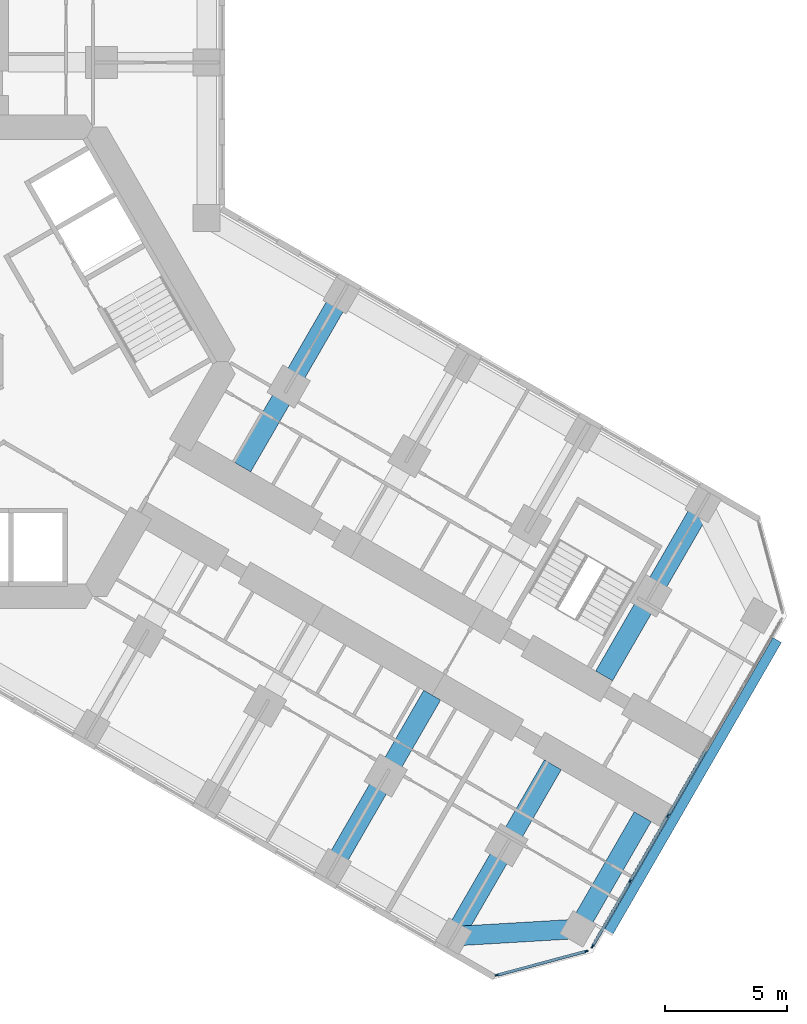
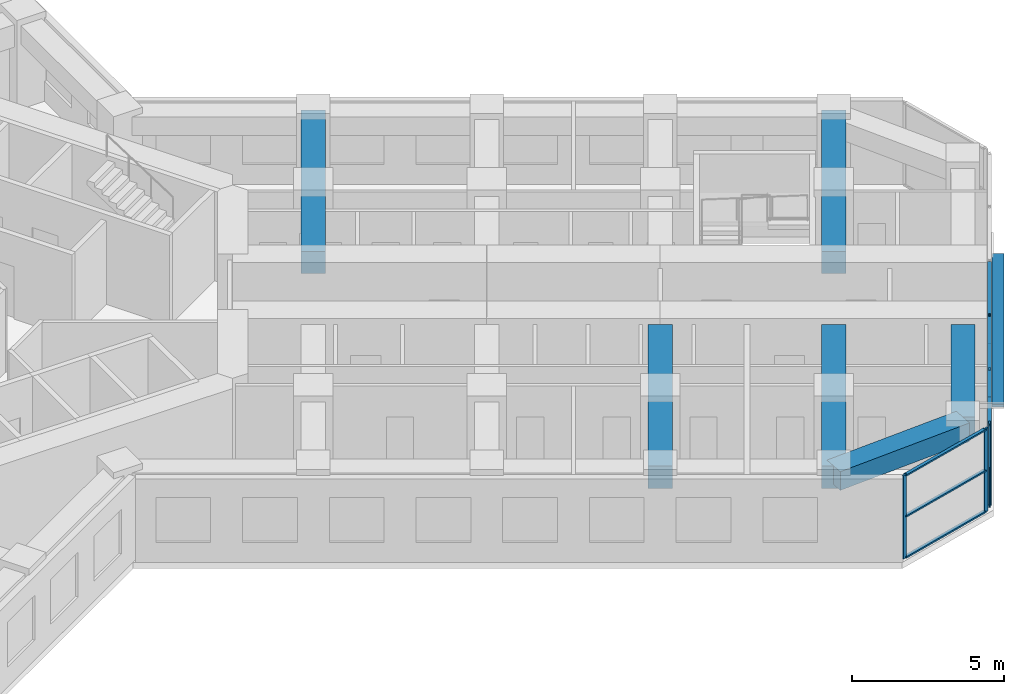
# One storey, part 5 of 21: 15 members, 6 beams, 2 elements without a shape of their own.
"""IFC4 building model written with IfcOpenShell, lengths in metres."""

from ifc_helpers import new_model, si_unit, direction, frame, origin, origin_2d, place, context, subcontext, project, spatial, rectangle, extrude, material, material_profile, profile_set, type_object, element, aggregate, save


model = new_model("IFC4")

# Units and contexts
model_context = context("Model", 3, precision=1e-05, world=origin(), true_north=direction((0.0, 1.0)))
body_context = subcontext(model_context, "Body", "Model", "MODEL_VIEW")
ifc_project = project(units=[si_unit("LENGTHUNIT", "METRE"), si_unit("AREAUNIT", "SQUARE_METRE"), si_unit("VOLUMEUNIT", "CUBIC_METRE"), si_unit("PLANEANGLEUNIT", "RADIAN"), si_unit("MASSUNIT", "GRAM", prefix="KILO")], contexts=[model_context])

# Site, building, storey
site_placement = place(None, origin())
site = spatial("IfcSite", under=ifc_project, at=site_placement, CompositionType="ELEMENT")
building_placement = place(site_placement, origin())
building = spatial("IfcBuilding", under=site, at=building_placement, Name="Kosmar Iwan School Tower", CompositionType="ELEMENT")
storey_placement = place(building_placement, frame((0.0, 0.0, 43.0)))
storey = spatial("IfcBuildingStorey", under=building, at=storey_placement, Name="L09", CompositionType="ELEMENT", Elevation=43.0)

# Member
ifc_material_1 = material(Name="Black anodised aluminium", Category="aluminium")
ifc_material_profile_1 = material_profile(ifc_material_1, rectangle(XDim=0.10009765625, YDim=0.39990234375, at=origin_2d()), Name="FIN 100x400")
ifc_profile_set_1 = profile_set([ifc_material_profile_1], Name="Black anodised aluminium")
member_type_1 = type_object("IfcMemberType", Name="Diagonal fin 100x400", PredefinedType="USERDEFINED", material=ifc_profile_set_1)
member_1_placement = place(storey_placement, frame((33.54345703125, -11.40087890625, -0.14990234375), z_axis=(-0.483795538458, -0.837973939202, 0.252470897702), x_axis=(0.126233699175, 0.218647221293, 0.967604488318)))
element("IfcMember", 1, at=member_1_placement, inside=storey, type_object=member_type_1, Name="Diagonal fin L09-F03", ObjectType="FIN", PredefinedType="USERDEFINED", context=body_context, shape_type="SweptSolid", body=[
    extrude(rectangle(XDim=0.10009765625, YDim=0.39990234375, at=origin_2d()), origin(), (0.0, 0.0, 1.0), 14.258544921875),
])

# Curtain wall, members
ifc_material_2 = material(Name="Dark glass in black aluminium frame", Category="aluminium")
curtain_wall_type_1 = type_object("IfcCurtainWallType", Name="Chamfer curtain wall dark glass", PredefinedType="USERDEFINED", material=ifc_material_2)
curtain_wall_1_placement = place(storey_placement, origin())
curtain_wall_1 = element("IfcCurtainWall", 2, at=curtain_wall_1_placement, inside=storey, type_object=curtain_wall_type_1, Name="Curtain wall L09-F02", ObjectType="FACETED CURTAIN WALL", PredefinedType="USERDEFINED")
ifc_material_3 = material(Name="Black anodised aluminium", Category="aluminium")
ifc_material_profile_2 = material_profile(ifc_material_3, rectangle(XDim=0.06005859375, YDim=0.159912109375, at=origin_2d()), Name="MULLION 60x160")
ifc_profile_set_2 = profile_set([ifc_material_profile_2], Name="Black anodised aluminium")
member_type_2 = type_object("IfcMemberType", Name="Mullion 60x160", PredefinedType="MULLION", material=ifc_profile_set_2)
member_2_placement = place(storey_placement, frame((22.0830078125, -25.102294921875, 0.0), z_axis=(0.0, 0.0, 1.0), x_axis=(-0.258818861462, 0.965925875495, 0.0)))
member_2 = element("IfcMember", 3, at=member_2_placement, type_object=member_type_2, Name="CW2 mullion 1", PredefinedType="MULLION", context=body_context, shape_type="SweptSolid", body=[
    extrude(rectangle(XDim=0.06005859375, YDim=0.159912109375, at=origin_2d()), origin(), (0.0, 0.0, 1.0), 3.35009765625),
])
member_3_placement = place(storey_placement, frame((25.733154296875, -24.124267578125, 0.0), z_axis=(0.0, 0.0, 1.0), x_axis=(-0.258818861462, 0.965925875495, 0.0)))
member_3 = element("IfcMember", 4, at=member_3_placement, type_object=member_type_2, Name="CW2 mullion 2", PredefinedType="MULLION", context=body_context, shape_type="SweptSolid", body=[
    extrude(rectangle(XDim=0.06005859375, YDim=0.159912109375, at=origin_2d()), origin(), (0.0, 0.0, 1.0), 3.35009765625),
])

ifc_material_4 = material(Name="Dark glass in black aluminium frame", Category="aluminium")
curtain_wall_type_2 = type_object("IfcCurtainWallType", Name="Tower curtain wall dark glass", PredefinedType="USERDEFINED", material=ifc_material_4)
curtain_wall_2_placement = place(storey_placement, origin())
curtain_wall_2 = element("IfcCurtainWall", 5, at=curtain_wall_2_placement, inside=storey, type_object=curtain_wall_type_2, Name="Curtain wall L09-F03", ObjectType="UNITISED CURTAIN WALL", PredefinedType="USERDEFINED")
member_4_placement = place(storey_placement, frame((25.9970703125, -23.921630859375, 0.0), z_axis=(0.0, 0.0, 1.0), x_axis=(-0.866025405329, 0.499999997325, 0.0)))
member_4 = element("IfcMember", 6, at=member_4_placement, type_object=member_type_2, Name="CW1 mullion 1", PredefinedType="MULLION", context=body_context, shape_type="SweptSolid", body=[
    extrude(rectangle(XDim=0.06005859375, YDim=0.159912109375, at=origin_2d()), origin(), (0.0, 0.0, 1.0), 3.35009765625),
])
member_5_placement = place(storey_placement, frame((27.53173828125, -21.263671875, 0.0), z_axis=(0.0, 0.0, 1.0), x_axis=(-0.866025405329, 0.499999997325, 0.0)))
member_5 = element("IfcMember", 7, at=member_5_placement, type_object=member_type_2, Name="CW1 mullion 2", PredefinedType="MULLION", context=body_context, shape_type="SweptSolid", body=[
    extrude(rectangle(XDim=0.06005859375, YDim=0.159912109375, at=origin_2d()), origin(), (0.0, 0.0, 1.0), 3.35009765625),
])
member_6_placement = place(storey_placement, frame((29.081298828125, -18.57958984375, 0.0), z_axis=(0.0, 0.0, 1.0), x_axis=(-0.866025405329, 0.499999997325, 0.0)))
member_6 = element("IfcMember", 8, at=member_6_placement, type_object=member_type_2, Name="CW1 mullion 3", PredefinedType="MULLION", context=body_context, shape_type="SweptSolid", body=[
    extrude(rectangle(XDim=0.06005859375, YDim=0.159912109375, at=origin_2d()), origin(), (0.0, 0.0, 1.0), 3.35009765625),
])

# Beams
ifc_material_5 = material(Name="Concrete C50/60", Category="concrete")
ifc_material_profile_3 = material_profile(ifc_material_5, rectangle(XDim=0.800048828125, YDim=0.75, at=origin_2d()), Name="RC 800x750")
ifc_profile_set_3 = profile_set([ifc_material_profile_3], Name="Concrete C50/60")
beam_type_1 = type_object("IfcBeamType", Name="RC tip beam 800x750", PredefinedType="BEAM", material=ifc_profile_set_3)
beam_1_placement = place(storey_placement, frame((20.31787109375, -23.508544921875, 2.97509765625), z_axis=(0.998260616478, 0.058955420358, 0.0), x_axis=(-0.058955420358, 0.998260616478, 0.0)))
element("IfcBeam", 9, at=beam_1_placement, inside=storey, type_object=beam_type_1, Name="Tip beam CR", PredefinedType="BEAM", context=body_context, shape_type="SweptSolid", body=[
    extrude(rectangle(XDim=0.800048828125, YDim=0.75, at=origin_2d()), origin(), (0.0, 0.0, 1.0), 5.08935546875),
])
beam_2_placement = place(storey_placement, frame((25.3984375, -23.20849609375, 2.97509765625), z_axis=(0.499993606316, 0.866029095148, 0.0), x_axis=(-0.866029095148, 0.499993606316, 0.0)))
element("IfcBeam", 10, at=beam_2_placement, inside=storey, type_object=beam_type_1, Name="Tip beam CR to corridor wall", PredefinedType="BEAM", context=body_context, shape_type="SweptSolid", body=[
    extrude(rectangle(XDim=0.800048828125, YDim=0.75, at=origin_2d()), origin(), (0.0, 0.0, 1.0), 5.2998046875),
])
ifc_material_6 = material(Name="Concrete C50/60", Category="concrete")
ifc_material_profile_4 = material_profile(ifc_material_6, rectangle(XDim=0.800048828125, YDim=0.89990234375, at=origin_2d()), Name="RC 800x900")
ifc_profile_set_4 = profile_set([ifc_material_profile_4], Name="Concrete C50/60")
beam_type_2 = type_object("IfcBeamType", Name="RC transverse beam 800x900", PredefinedType="BEAM", material=ifc_profile_set_4)
for number, where, z_axis, x_axis, name in (
    (11, (15.708740234375, 2.70849609375, 2.89990234375), (-0.499999880539, -0.866025472755, 0.0), (0.866025472755, -0.499999880539, 0.0), "Transverse beam CL1"),
    (12, (30.517822265625, -5.841552734375, 2.89990234375), (-0.499999880539, -0.866025472755, 0.0), (0.866025472755, -0.499999880539, 0.0), "Transverse beam CL4"),
    (13, (15.381591796875, -20.658447265625, 2.89990234375), (0.499977274689, 0.866038523851, 0.0), (-0.866038523851, 0.499977274689, 0.0), "Transverse beam CR3"),
    (14, (20.31787109375, -23.508544921875, 2.89990234375), (0.499999880539, 0.866025472755, 0.0), (-0.866025472755, 0.499999880539, 0.0), "Transverse beam CR4"),
):
    element("IfcBeam", number, at=place(storey_placement, frame(where, z_axis=z_axis, x_axis=x_axis)), inside=storey, type_object=beam_type_2, Name=name, PredefinedType="BEAM", context=body_context, shape_type="SweptSolid", body=[
        extrude(rectangle(XDim=0.800048828125, YDim=0.89990234375, at=origin_2d()), origin(), (0.0, 0.0, 1.0), 8.10009765625),
    ])

# Member
ifc_material_7 = material(Name="Black anodised aluminium", Category="aluminium")
ifc_material_profile_5 = material_profile(ifc_material_7, rectangle(XDim=0.1201171875, YDim=0.06005859375, at=origin_2d()), Name="TRANSOM 60x120")
ifc_profile_set_5 = profile_set([ifc_material_profile_5], Name="Black anodised aluminium")
member_type_3 = type_object("IfcMemberType", Name="Transom 60x120", PredefinedType="USERDEFINED", material=ifc_profile_set_5)
member_7_placement = place(storey_placement, frame((22.11181640625, -25.094482421875, 0.030029296875), z_axis=(0.965923731726, 0.258826861991, 0.0), x_axis=(-0.258826861991, 0.965923731726, 0.0)))
member_7 = element("IfcMember", 15, at=member_7_placement, type_object=member_type_3, Name="CW2 transom 1.1", ObjectType="TRANSOM", PredefinedType="USERDEFINED", context=body_context, shape_type="SweptSolid", body=[
    extrude(rectangle(XDim=0.1201171875, YDim=0.06005859375, at=origin_2d()), origin(), (0.0, 0.0, 1.0), 3.71923828125),
])

member_8_placement = place(storey_placement, frame((22.11181640625, -25.094482421875, 1.675048828125), z_axis=(0.965923731726, 0.258826861991, 0.0), x_axis=(-0.258826861991, 0.965923731726, 0.0)))
member_8 = element("IfcMember", 16, at=member_8_placement, type_object=member_type_3, Name="CW2 transom 1.2", ObjectType="TRANSOM", PredefinedType="USERDEFINED", context=body_context, shape_type="SweptSolid", body=[
    extrude(rectangle(XDim=0.1201171875, YDim=0.06005859375, at=origin_2d()), origin(), (0.0, 0.0, 1.0), 3.71923828125),
])

member_9_placement = place(storey_placement, frame((22.11181640625, -25.094482421875, 3.320068359375), z_axis=(0.965923731726, 0.258826861991, 0.0), x_axis=(-0.258826861991, 0.965923731726, 0.0)))
member_9 = element("IfcMember", 17, at=member_9_placement, type_object=member_type_3, Name="CW2 transom 1.3", ObjectType="TRANSOM", PredefinedType="USERDEFINED", context=body_context, shape_type="SweptSolid", body=[
    extrude(rectangle(XDim=0.1201171875, YDim=0.06005859375, at=origin_2d()), origin(), (0.0, 0.0, 1.0), 3.71923828125),
])

aggregate(curtain_wall_1, [member_2, member_3, member_7, member_8, member_9])

member_10_placement = place(storey_placement, frame((26.01220703125, -23.895751953125, 0.030029296875), z_axis=(0.499986971506, 0.866032925658, 0.0), x_axis=(-0.866032925658, 0.499986971506, 0.0)))
member_10 = element("IfcMember", 18, at=member_10_placement, type_object=member_type_3, Name="CW1 transom 1.1", ObjectType="TRANSOM", PredefinedType="USERDEFINED", context=body_context, shape_type="SweptSolid", body=[
    extrude(rectangle(XDim=0.1201171875, YDim=0.06005859375, at=origin_2d()), origin(), (0.0, 0.0, 1.0), 3.00927734375),
])

member_11_placement = place(storey_placement, frame((26.01220703125, -23.895751953125, 3.320068359375), z_axis=(0.499986971506, 0.866032925658, 0.0), x_axis=(-0.866032925658, 0.499986971506, 0.0)))
member_11 = element("IfcMember", 19, at=member_11_placement, type_object=member_type_3, Name="CW1 transom 1.2", ObjectType="TRANSOM", PredefinedType="USERDEFINED", context=body_context, shape_type="SweptSolid", body=[
    extrude(rectangle(XDim=0.1201171875, YDim=0.06005859375, at=origin_2d()), origin(), (0.0, 0.0, 1.0), 3.00927734375),
])

member_12_placement = place(storey_placement, frame((27.546875, -21.237548828125, 0.030029296875), z_axis=(0.499975102327, 0.866039777986, 0.0), x_axis=(-0.866039777986, 0.499975102327, 0.0)))
member_12 = element("IfcMember", 20, at=member_12_placement, type_object=member_type_3, Name="CW1 transom 2.1", ObjectType="TRANSOM", PredefinedType="USERDEFINED", context=body_context, shape_type="SweptSolid", body=[
    extrude(rectangle(XDim=0.1201171875, YDim=0.06005859375, at=origin_2d()), origin(), (0.0, 0.0, 1.0), 3.039306640625),
])

member_13_placement = place(storey_placement, frame((27.546875, -21.237548828125, 3.320068359375), z_axis=(0.499975102327, 0.866039777986, 0.0), x_axis=(-0.866039777986, 0.499975102327, 0.0)))
member_13 = element("IfcMember", 21, at=member_13_placement, type_object=member_type_3, Name="CW1 transom 2.2", ObjectType="TRANSOM", PredefinedType="USERDEFINED", context=body_context, shape_type="SweptSolid", body=[
    extrude(rectangle(XDim=0.1201171875, YDim=0.06005859375, at=origin_2d()), origin(), (0.0, 0.0, 1.0), 3.039306640625),
])

member_14_placement = place(storey_placement, frame((29.096435546875, -18.553466796875, 0.030029296875), z_axis=(0.499975102327, 0.866039777986, 0.0), x_axis=(-0.866039777986, 0.499975102327, 0.0)))
member_14 = element("IfcMember", 22, at=member_14_placement, type_object=member_type_3, Name="CW1 transom 3.1", ObjectType="TRANSOM", PredefinedType="USERDEFINED", context=body_context, shape_type="SweptSolid", body=[
    extrude(rectangle(XDim=0.1201171875, YDim=0.06005859375, at=origin_2d()), origin(), (0.0, 0.0, 1.0), 3.039306640625),
])

member_15_placement = place(storey_placement, frame((29.096435546875, -18.553466796875, 3.320068359375), z_axis=(0.499975102327, 0.866039777986, 0.0), x_axis=(-0.866039777986, 0.499975102327, 0.0)))
member_15 = element("IfcMember", 23, at=member_15_placement, type_object=member_type_3, Name="CW1 transom 3.2", ObjectType="TRANSOM", PredefinedType="USERDEFINED", context=body_context, shape_type="SweptSolid", body=[
    extrude(rectangle(XDim=0.1201171875, YDim=0.06005859375, at=origin_2d()), origin(), (0.0, 0.0, 1.0), 3.039306640625),
])

aggregate(curtain_wall_2, [member_4, member_5, member_6, member_10, member_11, member_12, member_13, member_14, member_15])

save(model, "model.ifc")
